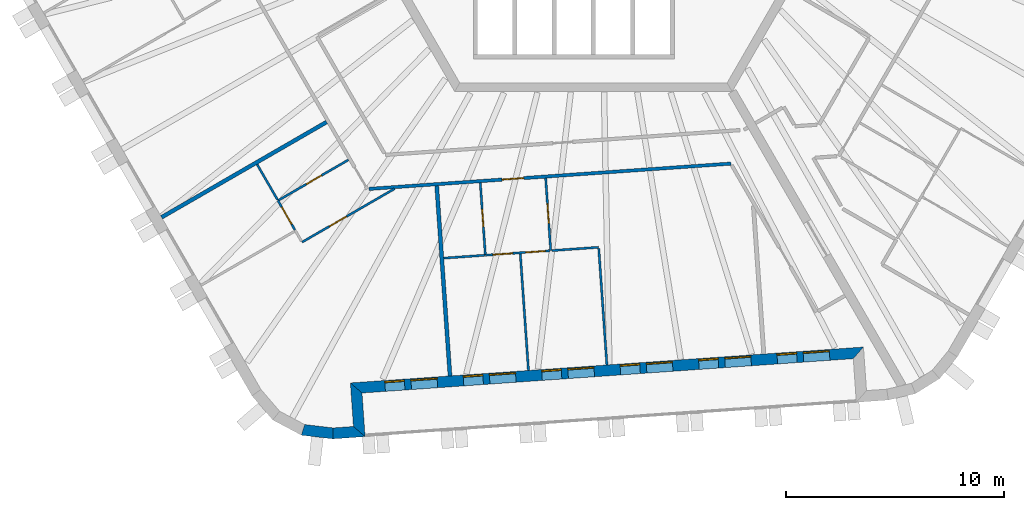
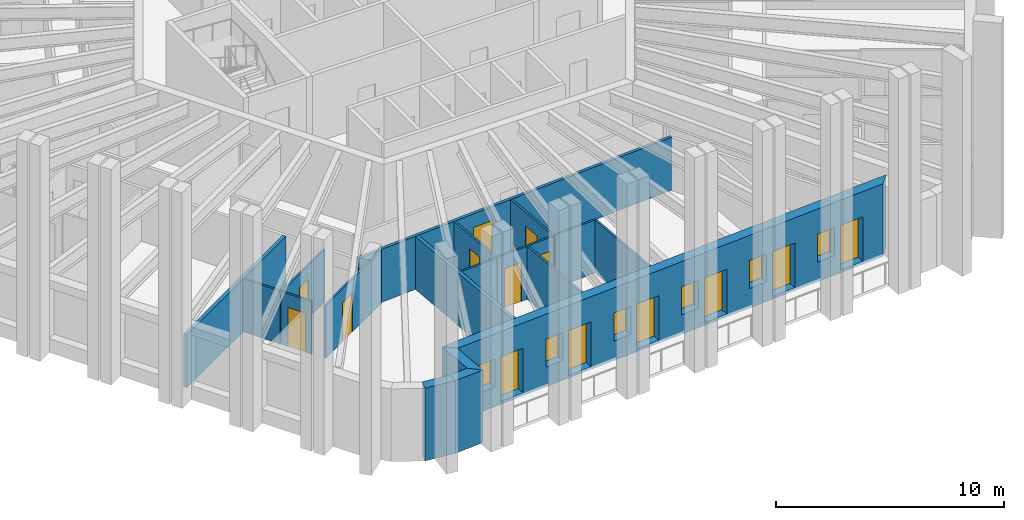
# One storey, part 3 of 13: 18 walls, 14 doors, 6 windows, 20 openings.
"""IFC4 building model written with IfcOpenShell, lengths in metres."""

from ifc_helpers import new_model, si_unit, direction, frame, frame_2d, origin, place, context, subcontext, project, spatial, polyline, rectangle, outline, extrude, material, layer, layer_set, type_object, element, fill, save


model = new_model("IFC4")

# Units and contexts
model_context = context("Model", 3, precision=1e-05, world=origin(), true_north=direction((0.0, 1.0)))
body_context = subcontext(model_context, "Body", "Model", "MODEL_VIEW")
ifc_project = project(units=[si_unit("LENGTHUNIT", "METRE"), si_unit("AREAUNIT", "SQUARE_METRE"), si_unit("VOLUMEUNIT", "CUBIC_METRE"), si_unit("PLANEANGLEUNIT", "RADIAN"), si_unit("MASSUNIT", "GRAM", prefix="KILO")], contexts=[model_context])

# Site, building, storey
site_placement = place(None, origin())
site = spatial("IfcSite", under=ifc_project, at=site_placement, CompositionType="ELEMENT")
building_placement = place(site_placement, origin())
building = spatial("IfcBuilding", under=site, at=building_placement, Name="Tarnside Tower", CompositionType="ELEMENT")
storey_placement = place(building_placement, frame((0.0, 0.0, 326.39990234375)))
storey = spatial("IfcBuildingStorey", under=building, at=storey_placement, Name="L79", CompositionType="ELEMENT", Elevation=326.39990234375)

# Wall, opening, door
ifc_material_1 = material(Name="Gypsum board partition on steel studs", Category="steel")
ifc_layer_1 = layer(ifc_material_1, 0.10009765625)
ifc_layer_set_1 = layer_set([ifc_layer_1], Name="Bathroom wall 100")
wall_type_1 = type_object("IfcWallType", Name="Bathroom wall 100", PredefinedType="PARTITIONING", material=ifc_layer_set_1)
wall_1_placement = place(storey_placement, frame((-11.215087890625, -14.124755859375, 0.0), z_axis=(0.0, 0.0, 1.0), x_axis=(-0.866028424924, -0.499994767197, 0.0)))
wall_1 = element("IfcWall", 1, at=wall_1_placement, inside=storey, type_object=wall_type_1, Name="Bathroom wall 26125", PredefinedType="PARTITIONING", context=body_context, shape_type="SweptSolid", body=[
    extrude(rectangle(XDim=3.72509765625, YDim=0.10009765625, at=frame_2d((1.862548828125, 0.0))), origin(), (0.0, 0.0, 1.0), 2.837890625),
])
opening_1_placement = place(wall_1_placement, frame((1.425048828125, 0.0, 0.0)))
opening_1 = element("IfcOpeningElement", 2, at=opening_1_placement, cuts=wall_1, Name="Opening D-B1", PredefinedType="OPENING", context=body_context, shape_type="SweptSolid", body=[
    extrude(rectangle(XDim=0.800048828125, YDim=2.10009765625, at=frame_2d((0.39990234375, 1.050048828125))), frame((0.0, 0.06005859375, 0.0), z_axis=(0.0, -1.0, 0.0), x_axis=(1.0, 0.0, 0.0)), (0.0, 0.0, 1.0), 0.1201171875),
])
ifc_material_2 = material(Name="Timber door leaf", Category="wood")
door_type_1 = type_object("IfcDoorType", Name="Bathroom door 800", OperationType="NOTDEFINED", PredefinedType="DOOR", material=ifc_material_2)
door_1_placement = place(opening_1_placement, origin())
door_1 = element("IfcDoor", 3, at=door_1_placement, inside=storey, type_object=door_type_1, Name="Bathroom door 26031", OperationType="SINGLE_SWING_RIGHT", OverallHeight=2.10009765625, OverallWidth=0.800048828125, PredefinedType="DOOR", context=body_context, shape_type="SweptSolid", body=[
    extrude(rectangle(XDim=0.800048828125, YDim=2.10009765625, at=frame_2d((0.39990234375, 1.050048828125))), frame((0.0, 0.02490234375, 0.0), z_axis=(0.0, -1.0, 0.0), x_axis=(1.0, 0.0, 0.0)), (0.0, 0.0, 1.0), 0.050048828125),
])
fill(opening_1, door_1)

# Wall
wall_2_placement = place(storey_placement, frame((-15.396240234375, -14.333251953125, 0.0), z_axis=(0.0, 0.0, 1.0), x_axis=(0.500115926523, -0.865958463229, 0.0)))
element("IfcWall", 4, at=wall_2_placement, inside=storey, type_object=wall_type_1, Name="Bathroom wall 26127", PredefinedType="PARTITIONING", context=body_context, shape_type="SweptSolid", body=[
    extrude(rectangle(XDim=1.86181640625, YDim=0.10009765625, at=frame_2d((0.930908203125, 0.0))), origin(), (0.0, 0.0, 1.0), 2.837890625),
])

# Wall, opening, door
wall_3_placement = place(storey_placement, frame((-5.178955078125, -15.17333984375, 0.0), z_axis=(0.0, 0.0, 1.0), x_axis=(0.069754598287, -0.997564181403, 0.0)))
wall_3 = element("IfcWall", 5, at=wall_3_placement, inside=storey, type_object=wall_type_1, Name="Bathroom wall 26132", PredefinedType="PARTITIONING", context=body_context, shape_type="SweptSolid", body=[
    extrude(rectangle(XDim=3.324951171875, YDim=0.10009765625, at=frame_2d((1.66259765625, 0.0))), origin(), (0.0, 0.0, 1.0), 2.837890625),
])
opening_2_placement = place(wall_3_placement, frame((1.22509765625, 0.0, 0.0)))
opening_2 = element("IfcOpeningElement", 6, at=opening_2_placement, cuts=wall_3, Name="Opening D-B1", PredefinedType="OPENING", context=body_context, shape_type="SweptSolid", body=[
    extrude(rectangle(XDim=0.800048828125, YDim=2.10009765625, at=frame_2d((0.39990234375, 1.050048828125))), frame((0.0, 0.06005859375, 0.0), z_axis=(0.0, -1.0, 0.0), x_axis=(1.0, 0.0, 0.0)), (0.0, 0.0, 1.0), 0.1201171875),
])
door_2_placement = place(opening_2_placement, origin())
door_2 = element("IfcDoor", 7, at=door_2_placement, inside=storey, type_object=door_type_1, Name="Bathroom door 26035", OperationType="SINGLE_SWING_RIGHT", OverallHeight=2.10009765625, OverallWidth=0.800048828125, PredefinedType="DOOR", context=body_context, shape_type="SweptSolid", body=[
    extrude(rectangle(XDim=0.800048828125, YDim=2.10009765625, at=frame_2d((0.39990234375, 1.050048828125))), frame((0.0, 0.02490234375, 0.0), z_axis=(0.0, -1.0, 0.0), x_axis=(1.0, 0.0, 0.0)), (0.0, 0.0, 1.0), 0.050048828125),
])
fill(opening_2, door_2)

# Wall
wall_4_placement = place(storey_placement, frame((-6.852294921875, -18.623291015625, 0.0), z_axis=(0.0, 0.0, 1.0), x_axis=(0.997564079323, 0.069756058123, 0.0)))
element("IfcWall", 8, at=wall_4_placement, inside=storey, type_object=wall_type_1, Name="Bathroom wall 26135", PredefinedType="PARTITIONING", context=body_context, shape_type="SweptSolid", body=[
    extrude(rectangle(XDim=1.862060546875, YDim=0.10009765625, at=frame_2d((0.93115234375, 0.0))), origin(), (0.0, 0.0, 1.0), 2.837890625),
])

# Wall, opening, door
ifc_layer_2 = layer(ifc_material_1, 0.14990234375)
ifc_layer_set_2 = layer_set([ifc_layer_2], Name="Corridor wall 150 EI 60")
wall_type_2 = type_object("IfcWallType", Name="Corridor wall 150 EI 60", PredefinedType="PARTITIONING", material=ifc_layer_set_2)
wall_5_placement = place(storey_placement, frame((-10.2744140625, -15.454345703125, 0.0), z_axis=(0.0, 0.0, 1.0), x_axis=(0.997563645223, 0.069762265797, 0.0)))
wall_5 = element("IfcWall", 9, at=wall_5_placement, inside=storey, type_object=wall_type_2, Name="Corridor wall 26035", PredefinedType="PARTITIONING", context=body_context, shape_type="SweptSolid", body=[
    extrude(rectangle(XDim=16.605712890625, YDim=0.14990234375, at=frame_2d((8.302734375, 0.0))), origin(), (0.0, 0.0, 1.0), 2.837890625),
])
opening_3_placement = place(wall_5_placement, frame((6.1025390625, 0.0, 0.0)))
opening_3 = element("IfcOpeningElement", 10, at=opening_3_placement, cuts=wall_5, Name="Opening D-E1", PredefinedType="OPENING", context=body_context, shape_type="SweptSolid", body=[
    extrude(rectangle(XDim=1.0, YDim=2.10009765625, at=frame_2d((0.5, 1.050048828125))), frame((0.0, 0.0849609375, 0.0), z_axis=(0.0, -1.0, 0.0), x_axis=(1.0, 0.0, 0.0)), (0.0, 0.0, 1.0), 0.169921875),
])
door_type_2 = type_object("IfcDoorType", Name="Unit entrance door 1000 FD30S", OperationType="NOTDEFINED", PredefinedType="DOOR", material=ifc_material_2)
door_3_placement = place(opening_3_placement, origin())
door_3 = element("IfcDoor", 11, at=door_3_placement, inside=storey, type_object=door_type_2, Name="Unit door 26034", OperationType="SINGLE_SWING_RIGHT", OverallHeight=2.10009765625, OverallWidth=1.0, PredefinedType="DOOR", context=body_context, shape_type="SweptSolid", body=[
    extrude(rectangle(XDim=1.0, YDim=2.10009765625, at=frame_2d((0.5, 1.050048828125))), frame((0.0, 0.02490234375, 0.0), z_axis=(0.0, -1.0, 0.0), x_axis=(1.0, 0.0, 0.0)), (0.0, 0.0, 1.0), 0.050048828125),
])
fill(opening_3, door_3)

# Walls
ifc_layer_3 = layer(ifc_material_1, 0.179931640625)
ifc_layer_set_3 = layer_set([ifc_layer_3], Name="Demising wall 180 EI 60")
wall_type_3 = type_object("IfcWallType", Name="Demising wall 180 EI 60", PredefinedType="PARTITIONING", material=ifc_layer_set_3)
for number, where, z_axis, x_axis, name in (
    (12, (-19.771240234375, -16.755126953125, 0.0), (0.0, 0.0, 1.0), (0.866025292695, 0.500000192413, 0.0), "Demising wall 26111"),
    (13, (-6.5654296875, -24.0166015625, 0.0), (0.0, 0.0, 1.0), (-0.06975756604, 0.997563973878, 0.0), "Demising wall 26123"),
):
    element("IfcWall", number, at=place(storey_placement, frame(where, z_axis=z_axis, x_axis=x_axis)), inside=storey, type_object=wall_type_3, Name=name, PredefinedType="PARTITIONING", context=body_context, shape_type="SweptSolid", body=[
        extrude(rectangle(XDim=8.72509765625, YDim=0.179931640625, at=frame_2d((4.362548828125, 0.0))), origin(), (0.0, 0.0, 1.0), 2.837890625),
    ])
ifc_material_3 = material(Name="Dark zinc cladding")
ifc_layer_4 = layer(ifc_material_3, 0.10205078125)
ifc_material_4 = material(Name="Concrete C60/75 precast", Category="concrete")
ifc_layer_5 = layer(ifc_material_4, 0.298095703125)
ifc_material_5 = material(Name="Mineral wool insulation")
ifc_layer_6 = layer(ifc_material_5, 0.10009765625)
ifc_layer_set_4 = layer_set([ifc_layer_4, ifc_layer_5, ifc_layer_6], Name="Loggia wall 500 zinc faced")
wall_type_4 = type_object("IfcWallType", Name="Loggia wall 500 zinc faced", PredefinedType="SOLIDWALL", material=ifc_layer_set_4)
wall_6_placement = place(storey_placement, frame((-11.91748046875, -26.646240234375, -0.14990234375), z_axis=(0.0, 0.0, 1.0), x_axis=(0.997562933087, 0.069772448216, 0.0)))
element("IfcWall", 14, at=wall_6_placement, inside=storey, type_object=wall_type_4, Name="Tube wall L79 F4 stub 16", PredefinedType="SOLIDWALL", context=body_context, shape_type="SweptSolid", body=[
    extrude(outline(polyline([(-0.0234375, -0.25), (1.4501953125, -0.25), (0.9501953125, 0.25), (0.0234375, 0.25), (-0.0234375, -0.25)])), origin(), (0.0, 0.0, 1.0), 3.89990234375),
])
wall_7_placement = place(storey_placement, frame((-10.72021484375, -26.5625, -0.14990234375), z_axis=(0.0, 0.0, 1.0), x_axis=(-0.069824268692, 0.99755930726, 0.0)))
element("IfcWall", 15, at=wall_7_placement, inside=storey, type_object=wall_type_4, Name="Tube wall L79 F4 return 17", PredefinedType="SOLIDWALL", context=body_context, shape_type="SweptSolid", body=[
    extrude(outline(polyline([(-0.25, -0.25), (1.75, -0.25), (2.25, 0.25), (0.25, 0.25), (-0.25, -0.25)])), origin(), (0.0, 0.0, 1.0), 3.89990234375),
])

# Wall, openings, doors, windows
wall_8_placement = place(storey_placement, frame((-10.85986328125, -24.5673828125, -0.14990234375), z_axis=(0.0, 0.0, 1.0), x_axis=(0.997564329317, 0.06975248292, 0.0)))
wall_8 = element("IfcWall", 16, at=wall_8_placement, inside=storey, type_object=wall_type_4, Name="Tube wall L79 F4 back 18", PredefinedType="SOLIDWALL", context=body_context, shape_type="SweptSolid", body=[
    extrude(outline(polyline([(0.25, -0.25), (22.794677734375, -0.25), (23.294677734375, 0.25), (-0.25, 0.25), (0.25, -0.25)])), origin(), (0.0, 0.0, 1.0), 3.89990234375),
])
opening_4_placement = place(wall_8_placement, frame((1.322509765625, 0.0, 1.050048828125)))
opening_4 = element("IfcOpeningElement", 17, at=opening_4_placement, cuts=wall_8, Name="Opening WL500", PredefinedType="OPENING", context=body_context, shape_type="SweptSolid", body=[
    extrude(rectangle(XDim=0.89990234375, YDim=1.5, at=frame_2d((0.449951171875, 0.75))), frame((0.0, 0.260009765625, 0.0), z_axis=(0.0, -1.0, 0.0), x_axis=(1.0, 0.0, 0.0)), (0.0, 0.0, 1.0), 0.52001953125),
])
opening_5_placement = place(wall_8_placement, frame((2.5224609375, 0.0, 0.14990234375)))
opening_5 = element("IfcOpeningElement", 18, at=opening_5_placement, cuts=wall_8, Name="Opening DB500", PredefinedType="OPENING", context=body_context, shape_type="SweptSolid", body=[
    extrude(rectangle(XDim=1.199951171875, YDim=2.39990234375, at=frame_2d((0.60009765625, 1.199951171875))), frame((0.0, 0.260009765625, 0.0), z_axis=(0.0, -1.0, 0.0), x_axis=(1.0, 0.0, 0.0)), (0.0, 0.0, 1.0), 0.52001953125),
])
opening_6_placement = place(wall_8_placement, frame((4.92236328125, 0.0, 1.050048828125)))
opening_6 = element("IfcOpeningElement", 19, at=opening_6_placement, cuts=wall_8, Name="Opening WL500", PredefinedType="OPENING", context=body_context, shape_type="SweptSolid", body=[
    extrude(rectangle(XDim=0.89990234375, YDim=1.5, at=frame_2d((0.449951171875, 0.75))), frame((0.0, 0.260009765625, 0.0), z_axis=(0.0, -1.0, 0.0), x_axis=(1.0, 0.0, 0.0)), (0.0, 0.0, 1.0), 0.52001953125),
])
opening_7_placement = place(wall_8_placement, frame((6.122314453125, 0.0, 0.14990234375)))
opening_7 = element("IfcOpeningElement", 20, at=opening_7_placement, cuts=wall_8, Name="Opening DB500", PredefinedType="OPENING", context=body_context, shape_type="SweptSolid", body=[
    extrude(rectangle(XDim=1.199951171875, YDim=2.39990234375, at=frame_2d((0.60009765625, 1.199951171875))), frame((0.0, 0.260009765625, 0.0), z_axis=(0.0, -1.0, 0.0), x_axis=(1.0, 0.0, 0.0)), (0.0, 0.0, 1.0), 0.52001953125),
])
opening_8_placement = place(wall_8_placement, frame((8.5224609375, 0.0, 1.050048828125)))
opening_8 = element("IfcOpeningElement", 21, at=opening_8_placement, cuts=wall_8, Name="Opening WL500", PredefinedType="OPENING", context=body_context, shape_type="SweptSolid", body=[
    extrude(rectangle(XDim=0.89990234375, YDim=1.5, at=frame_2d((0.449951171875, 0.75))), frame((0.0, 0.260009765625, 0.0), z_axis=(0.0, -1.0, 0.0), x_axis=(1.0, 0.0, 0.0)), (0.0, 0.0, 1.0), 0.52001953125),
])
opening_9_placement = place(wall_8_placement, frame((9.722412109375, 0.0, 0.14990234375)))
opening_9 = element("IfcOpeningElement", 22, at=opening_9_placement, cuts=wall_8, Name="Opening DB500", PredefinedType="OPENING", context=body_context, shape_type="SweptSolid", body=[
    extrude(rectangle(XDim=1.199951171875, YDim=2.39990234375, at=frame_2d((0.60009765625, 1.199951171875))), frame((0.0, 0.260009765625, 0.0), z_axis=(0.0, -1.0, 0.0), x_axis=(1.0, 0.0, 0.0)), (0.0, 0.0, 1.0), 0.52001953125),
])
opening_10_placement = place(wall_8_placement, frame((12.122314453125, 0.0, 1.050048828125)))
opening_10 = element("IfcOpeningElement", 23, at=opening_10_placement, cuts=wall_8, Name="Opening WL500", PredefinedType="OPENING", context=body_context, shape_type="SweptSolid", body=[
    extrude(rectangle(XDim=0.89990234375, YDim=1.5, at=frame_2d((0.449951171875, 0.75))), frame((0.0, 0.260009765625, 0.0), z_axis=(0.0, -1.0, 0.0), x_axis=(1.0, 0.0, 0.0)), (0.0, 0.0, 1.0), 0.52001953125),
])
opening_11_placement = place(wall_8_placement, frame((13.322509765625, 0.0, 0.14990234375)))
opening_11 = element("IfcOpeningElement", 24, at=opening_11_placement, cuts=wall_8, Name="Opening DB500", PredefinedType="OPENING", context=body_context, shape_type="SweptSolid", body=[
    extrude(rectangle(XDim=1.199951171875, YDim=2.39990234375, at=frame_2d((0.60009765625, 1.199951171875))), frame((0.0, 0.260009765625, 0.0), z_axis=(0.0, -1.0, 0.0), x_axis=(1.0, 0.0, 0.0)), (0.0, 0.0, 1.0), 0.52001953125),
])
opening_12_placement = place(wall_8_placement, frame((15.722412109375, 0.0, 1.050048828125)))
opening_12 = element("IfcOpeningElement", 25, at=opening_12_placement, cuts=wall_8, Name="Opening WL500", PredefinedType="OPENING", context=body_context, shape_type="SweptSolid", body=[
    extrude(rectangle(XDim=0.89990234375, YDim=1.5, at=frame_2d((0.449951171875, 0.75))), frame((0.0, 0.260009765625, 0.0), z_axis=(0.0, -1.0, 0.0), x_axis=(1.0, 0.0, 0.0)), (0.0, 0.0, 1.0), 0.52001953125),
])
opening_13_placement = place(wall_8_placement, frame((16.92236328125, 0.0, 0.14990234375)))
opening_13 = element("IfcOpeningElement", 26, at=opening_13_placement, cuts=wall_8, Name="Opening DB500", PredefinedType="OPENING", context=body_context, shape_type="SweptSolid", body=[
    extrude(rectangle(XDim=1.199951171875, YDim=2.39990234375, at=frame_2d((0.60009765625, 1.199951171875))), frame((0.0, 0.260009765625, 0.0), z_axis=(0.0, -1.0, 0.0), x_axis=(1.0, 0.0, 0.0)), (0.0, 0.0, 1.0), 0.52001953125),
])
opening_14_placement = place(wall_8_placement, frame((19.322509765625, 0.0, 1.050048828125)))
opening_14 = element("IfcOpeningElement", 27, at=opening_14_placement, cuts=wall_8, Name="Opening WL500", PredefinedType="OPENING", context=body_context, shape_type="SweptSolid", body=[
    extrude(rectangle(XDim=0.89990234375, YDim=1.5, at=frame_2d((0.449951171875, 0.75))), frame((0.0, 0.260009765625, 0.0), z_axis=(0.0, -1.0, 0.0), x_axis=(1.0, 0.0, 0.0)), (0.0, 0.0, 1.0), 0.52001953125),
])
opening_15_placement = place(wall_8_placement, frame((20.5224609375, 0.0, 0.14990234375)))
opening_15 = element("IfcOpeningElement", 28, at=opening_15_placement, cuts=wall_8, Name="Opening DB500", PredefinedType="OPENING", context=body_context, shape_type="SweptSolid", body=[
    extrude(rectangle(XDim=1.199951171875, YDim=2.39990234375, at=frame_2d((0.60009765625, 1.199951171875))), frame((0.0, 0.260009765625, 0.0), z_axis=(0.0, -1.0, 0.0), x_axis=(1.0, 0.0, 0.0)), (0.0, 0.0, 1.0), 0.52001953125),
])
ifc_material_6 = material(Name="Aluminium-framed double glazing", Category="aluminium")
door_type_3 = type_object("IfcDoorType", Name="Balcony sliding door 1200 x 2400 in 500 wall", OperationType="SLIDING_TO_LEFT", PredefinedType="DOOR", material=ifc_material_6)
door_4_placement = place(opening_5_placement, frame((0.0, 0.1748046875, 0.0)))
door_4 = element("IfcDoor", 29, at=door_4_placement, inside=storey, type_object=door_type_3, Name="E.BD.L79.F4.00", OperationType="SLIDING_TO_LEFT", OverallHeight=2.39990234375, OverallWidth=1.199951171875, PredefinedType="DOOR", context=body_context, shape_type="SweptSolid", body=[
    extrude(rectangle(XDim=1.199951171875, YDim=2.39990234375, at=frame_2d((0.60009765625, 1.199951171875))), frame((0.0, 0.02490234375, 0.0), z_axis=(0.0, -1.0, 0.0), x_axis=(1.0, 0.0, 0.0)), (0.0, 0.0, 1.0), 0.050048828125),
])
fill(opening_5, door_4)
door_5_placement = place(opening_7_placement, frame((0.0, 0.1748046875, 0.0)))
door_5 = element("IfcDoor", 30, at=door_5_placement, inside=storey, type_object=door_type_3, Name="E.BD.L79.F4.01", OperationType="SLIDING_TO_LEFT", OverallHeight=2.39990234375, OverallWidth=1.199951171875, PredefinedType="DOOR", context=body_context, shape_type="SweptSolid", body=[
    extrude(rectangle(XDim=1.199951171875, YDim=2.39990234375, at=frame_2d((0.60009765625, 1.199951171875))), frame((0.0, 0.02490234375, 0.0), z_axis=(0.0, -1.0, 0.0), x_axis=(1.0, 0.0, 0.0)), (0.0, 0.0, 1.0), 0.050048828125),
])
fill(opening_7, door_5)
door_6_placement = place(opening_9_placement, frame((0.0, 0.1748046875, 0.0)))
door_6 = element("IfcDoor", 31, at=door_6_placement, inside=storey, type_object=door_type_3, Name="E.BD.L79.F4.02", OperationType="SLIDING_TO_LEFT", OverallHeight=2.39990234375, OverallWidth=1.199951171875, PredefinedType="DOOR", context=body_context, shape_type="SweptSolid", body=[
    extrude(rectangle(XDim=1.199951171875, YDim=2.39990234375, at=frame_2d((0.60009765625, 1.199951171875))), frame((0.0, 0.02490234375, 0.0), z_axis=(0.0, -1.0, 0.0), x_axis=(1.0, 0.0, 0.0)), (0.0, 0.0, 1.0), 0.050048828125),
])
fill(opening_9, door_6)
door_7_placement = place(opening_11_placement, frame((0.0, 0.1748046875, 0.0)))
door_7 = element("IfcDoor", 32, at=door_7_placement, inside=storey, type_object=door_type_3, Name="E.BD.L79.F4.03", OperationType="SLIDING_TO_LEFT", OverallHeight=2.39990234375, OverallWidth=1.199951171875, PredefinedType="DOOR", context=body_context, shape_type="SweptSolid", body=[
    extrude(rectangle(XDim=1.199951171875, YDim=2.39990234375, at=frame_2d((0.60009765625, 1.199951171875))), frame((0.0, 0.02490234375, 0.0), z_axis=(0.0, -1.0, 0.0), x_axis=(1.0, 0.0, 0.0)), (0.0, 0.0, 1.0), 0.050048828125),
])
fill(opening_11, door_7)
door_8_placement = place(opening_13_placement, frame((0.0, 0.1748046875, 0.0)))
door_8 = element("IfcDoor", 33, at=door_8_placement, inside=storey, type_object=door_type_3, Name="E.BD.L79.F4.04", OperationType="SLIDING_TO_LEFT", OverallHeight=2.39990234375, OverallWidth=1.199951171875, PredefinedType="DOOR", context=body_context, shape_type="SweptSolid", body=[
    extrude(rectangle(XDim=1.199951171875, YDim=2.39990234375, at=frame_2d((0.60009765625, 1.199951171875))), frame((0.0, 0.02490234375, 0.0), z_axis=(0.0, -1.0, 0.0), x_axis=(1.0, 0.0, 0.0)), (0.0, 0.0, 1.0), 0.050048828125),
])
fill(opening_13, door_8)
door_9_placement = place(opening_15_placement, frame((0.0, 0.1748046875, 0.0)))
door_9 = element("IfcDoor", 34, at=door_9_placement, inside=storey, type_object=door_type_3, Name="E.BD.L79.F4.05", OperationType="SLIDING_TO_LEFT", OverallHeight=2.39990234375, OverallWidth=1.199951171875, PredefinedType="DOOR", context=body_context, shape_type="SweptSolid", body=[
    extrude(rectangle(XDim=1.199951171875, YDim=2.39990234375, at=frame_2d((0.60009765625, 1.199951171875))), frame((0.0, 0.02490234375, 0.0), z_axis=(0.0, -1.0, 0.0), x_axis=(1.0, 0.0, 0.0)), (0.0, 0.0, 1.0), 0.050048828125),
])
fill(opening_15, door_9)
window_type = type_object("IfcWindowType", Name="Loggia window 900 x 1500 in 500 wall", PartitioningType="SINGLE_PANEL", PredefinedType="WINDOW", material=ifc_material_6)
window_1_placement = place(opening_4_placement, frame((0.0, 0.179931640625, 0.0)))
window_1 = element("IfcWindow", 35, at=window_1_placement, inside=storey, type_object=window_type, Name="E.LW.L79.F4.00", OverallHeight=1.5, OverallWidth=0.89990234375, PartitioningType="SINGLE_PANEL", PredefinedType="WINDOW", context=body_context, shape_type="SweptSolid", body=[
    extrude(rectangle(XDim=0.89990234375, YDim=1.5, at=frame_2d((0.449951171875, 0.75))), frame((0.0, 0.030029296875, 0.0), z_axis=(0.0, -1.0, 0.0), x_axis=(1.0, 0.0, 0.0)), (0.0, 0.0, 1.0), 0.06005859375),
])
fill(opening_4, window_1)
window_2_placement = place(opening_6_placement, frame((0.0, 0.179931640625, 0.0)))
window_2 = element("IfcWindow", 36, at=window_2_placement, inside=storey, type_object=window_type, Name="E.LW.L79.F4.01", OverallHeight=1.5, OverallWidth=0.89990234375, PartitioningType="SINGLE_PANEL", PredefinedType="WINDOW", context=body_context, shape_type="SweptSolid", body=[
    extrude(rectangle(XDim=0.89990234375, YDim=1.5, at=frame_2d((0.449951171875, 0.75))), frame((0.0, 0.030029296875, 0.0), z_axis=(0.0, -1.0, 0.0), x_axis=(1.0, 0.0, 0.0)), (0.0, 0.0, 1.0), 0.06005859375),
])
fill(opening_6, window_2)
window_3_placement = place(opening_8_placement, frame((0.0, 0.179931640625, 0.0)))
window_3 = element("IfcWindow", 37, at=window_3_placement, inside=storey, type_object=window_type, Name="E.LW.L79.F4.02", OverallHeight=1.5, OverallWidth=0.89990234375, PartitioningType="SINGLE_PANEL", PredefinedType="WINDOW", context=body_context, shape_type="SweptSolid", body=[
    extrude(rectangle(XDim=0.89990234375, YDim=1.5, at=frame_2d((0.449951171875, 0.75))), frame((0.0, 0.030029296875, 0.0), z_axis=(0.0, -1.0, 0.0), x_axis=(1.0, 0.0, 0.0)), (0.0, 0.0, 1.0), 0.06005859375),
])
fill(opening_8, window_3)
window_4_placement = place(opening_10_placement, frame((0.0, 0.179931640625, 0.0)))
window_4 = element("IfcWindow", 38, at=window_4_placement, inside=storey, type_object=window_type, Name="E.LW.L79.F4.03", OverallHeight=1.5, OverallWidth=0.89990234375, PartitioningType="SINGLE_PANEL", PredefinedType="WINDOW", context=body_context, shape_type="SweptSolid", body=[
    extrude(rectangle(XDim=0.89990234375, YDim=1.5, at=frame_2d((0.449951171875, 0.75))), frame((0.0, 0.030029296875, 0.0), z_axis=(0.0, -1.0, 0.0), x_axis=(1.0, 0.0, 0.0)), (0.0, 0.0, 1.0), 0.06005859375),
])
fill(opening_10, window_4)
window_5_placement = place(opening_12_placement, frame((0.0, 0.179931640625, 0.0)))
window_5 = element("IfcWindow", 39, at=window_5_placement, inside=storey, type_object=window_type, Name="E.LW.L79.F4.04", OverallHeight=1.5, OverallWidth=0.89990234375, PartitioningType="SINGLE_PANEL", PredefinedType="WINDOW", context=body_context, shape_type="SweptSolid", body=[
    extrude(rectangle(XDim=0.89990234375, YDim=1.5, at=frame_2d((0.449951171875, 0.75))), frame((0.0, 0.030029296875, 0.0), z_axis=(0.0, -1.0, 0.0), x_axis=(1.0, 0.0, 0.0)), (0.0, 0.0, 1.0), 0.06005859375),
])
fill(opening_12, window_5)
window_6_placement = place(opening_14_placement, frame((0.0, 0.179931640625, 0.0)))
window_6 = element("IfcWindow", 40, at=window_6_placement, inside=storey, type_object=window_type, Name="E.LW.L79.F4.05", OverallHeight=1.5, OverallWidth=0.89990234375, PartitioningType="SINGLE_PANEL", PredefinedType="WINDOW", context=body_context, shape_type="SweptSolid", body=[
    extrude(rectangle(XDim=0.89990234375, YDim=1.5, at=frame_2d((0.449951171875, 0.75))), frame((0.0, 0.030029296875, 0.0), z_axis=(0.0, -1.0, 0.0), x_axis=(1.0, 0.0, 0.0)), (0.0, 0.0, 1.0), 0.06005859375),
])
fill(opening_14, window_6)

# Wall, opening, door
ifc_layer_7 = layer(ifc_material_1, 0.10009765625)
ifc_layer_set_5 = layer_set([ifc_layer_7], Name="Partition 100")
wall_type_5 = type_object("IfcWallType", Name="Partition 100", PredefinedType="PARTITIONING", material=ifc_layer_set_5)
wall_9_placement = place(storey_placement, frame((-9.10693359375, -15.447998046875, 0.0), z_axis=(0.0, 0.0, 1.0), x_axis=(-0.866025094983, -0.500000534859, 0.0)))
wall_9 = element("IfcWall", 41, at=wall_9_placement, inside=storey, type_object=wall_type_5, Name="Partition wall 26120", PredefinedType="PARTITIONING", context=body_context, shape_type="SweptSolid", body=[
    extrude(rectangle(XDim=4.88916015625, YDim=0.10009765625, at=frame_2d((2.444580078125, 0.0))), origin(), (0.0, 0.0, 1.0), 2.837890625),
])
opening_16_placement = place(wall_9_placement, frame((2.539306640625, 0.0, 0.0)))
opening_16 = element("IfcOpeningElement", 42, at=opening_16_placement, cuts=wall_9, Name="Opening D-I1", PredefinedType="OPENING", context=body_context, shape_type="SweptSolid", body=[
    extrude(rectangle(XDim=0.89990234375, YDim=2.10009765625, at=frame_2d((0.449951171875, 1.050048828125))), frame((0.0, 0.06005859375, 0.0), z_axis=(0.0, -1.0, 0.0), x_axis=(1.0, 0.0, 0.0)), (0.0, 0.0, 1.0), 0.1201171875),
])
door_type_4 = type_object("IfcDoorType", Name="Internal door 900", OperationType="NOTDEFINED", PredefinedType="DOOR", material=ifc_material_2)
door_10_placement = place(opening_16_placement, origin())
door_10 = element("IfcDoor", 43, at=door_10_placement, inside=storey, type_object=door_type_4, Name="Internal door 26032", OperationType="SINGLE_SWING_LEFT", OverallHeight=2.10009765625, OverallWidth=0.89990234375, PredefinedType="DOOR", context=body_context, shape_type="SweptSolid", body=[
    extrude(rectangle(XDim=0.89990234375, YDim=2.10009765625, at=frame_2d((0.449951171875, 1.050048828125))), frame((0.0, 0.02490234375, 0.0), z_axis=(0.0, -1.0, 0.0), x_axis=(1.0, 0.0, 0.0)), (0.0, 0.0, 1.0), 0.050048828125),
])
fill(opening_16, door_10)

wall_10_placement = place(storey_placement, frame((-14.442138671875, -15.985595703125, 0.0), z_axis=(0.0, 0.0, 1.0), x_axis=(0.50008102322, -0.865978619952, 0.0)))
wall_10 = element("IfcWall", 44, at=wall_10_placement, inside=storey, type_object=wall_type_5, Name="Partition wall 26126", PredefinedType="PARTITIONING", context=body_context, shape_type="SweptSolid", body=[
    extrude(rectangle(XDim=1.552001953125, YDim=0.10009765625, at=frame_2d((0.77587890625, 0.0))), origin(), (0.0, 0.0, 1.0), 2.837890625),
])
opening_17_placement = place(wall_10_placement, frame((0.35205078125, 0.0, 0.0)))
opening_17 = element("IfcOpeningElement", 45, at=opening_17_placement, cuts=wall_10, Name="Opening D-I1", PredefinedType="OPENING", context=body_context, shape_type="SweptSolid", body=[
    extrude(rectangle(XDim=0.89990234375, YDim=2.10009765625, at=frame_2d((0.449951171875, 1.050048828125))), frame((0.0, 0.06005859375, 0.0), z_axis=(0.0, -1.0, 0.0), x_axis=(1.0, 0.0, 0.0)), (0.0, 0.0, 1.0), 0.1201171875),
])
door_11_placement = place(opening_17_placement, origin())
door_11 = element("IfcDoor", 46, at=door_11_placement, inside=storey, type_object=door_type_4, Name="Internal door 26033", OperationType="SINGLE_SWING_LEFT", OverallHeight=2.10009765625, OverallWidth=0.89990234375, PredefinedType="DOOR", context=body_context, shape_type="SweptSolid", body=[
    extrude(rectangle(XDim=0.89990234375, YDim=2.10009765625, at=frame_2d((0.449951171875, 1.050048828125))), frame((0.0, 0.02490234375, 0.0), z_axis=(0.0, -1.0, 0.0), x_axis=(1.0, 0.0, 0.0)), (0.0, 0.0, 1.0), 0.050048828125),
])
fill(opening_17, door_11)

wall_11_placement = place(storey_placement, frame((-2.186279296875, -14.9638671875, 0.0), z_axis=(0.0, 0.0, 1.0), x_axis=(0.069754598287, -0.997564181403, 0.0)))
wall_11 = element("IfcWall", 47, at=wall_11_placement, inside=storey, type_object=wall_type_5, Name="Partition wall 26128", PredefinedType="PARTITIONING", context=body_context, shape_type="SweptSolid", body=[
    extrude(rectangle(XDim=3.324951171875, YDim=0.10009765625, at=frame_2d((1.66259765625, 0.0))), origin(), (0.0, 0.0, 1.0), 2.837890625),
])
opening_18_placement = place(wall_11_placement, frame((1.175048828125, 0.0, 0.0)))
opening_18 = element("IfcOpeningElement", 48, at=opening_18_placement, cuts=wall_11, Name="Opening D-I1", PredefinedType="OPENING", context=body_context, shape_type="SweptSolid", body=[
    extrude(rectangle(XDim=0.89990234375, YDim=2.10009765625, at=frame_2d((0.449951171875, 1.050048828125))), frame((0.0, 0.06005859375, 0.0), z_axis=(0.0, -1.0, 0.0), x_axis=(1.0, 0.0, 0.0)), (0.0, 0.0, 1.0), 0.1201171875),
])
door_12_placement = place(opening_18_placement, origin())
door_12 = element("IfcDoor", 49, at=door_12_placement, inside=storey, type_object=door_type_4, Name="Internal door 26036", OperationType="SINGLE_SWING_RIGHT", OverallHeight=2.10009765625, OverallWidth=0.89990234375, PredefinedType="DOOR", context=body_context, shape_type="SweptSolid", body=[
    extrude(rectangle(XDim=0.89990234375, YDim=2.10009765625, at=frame_2d((0.449951171875, 1.050048828125))), frame((0.0, 0.02490234375, 0.0), z_axis=(0.0, -1.0, 0.0), x_axis=(1.0, 0.0, 0.0)), (0.0, 0.0, 1.0), 0.050048828125),
])
fill(opening_18, door_12)

# Walls
wall_12_placement = place(storey_placement, frame((-1.906494140625, -18.277587890625, 0.0), z_axis=(0.0, 0.0, 1.0), x_axis=(0.997563548072, 0.069763654999, 0.0)))
element("IfcWall", 50, at=wall_12_placement, inside=storey, type_object=wall_type_5, Name="Partition wall 26129", PredefinedType="PARTITIONING", context=body_context, shape_type="SweptSolid", body=[
    extrude(rectangle(XDim=2.152099609375, YDim=0.10009765625, at=frame_2d((1.076171875, 0.0))), origin(), (0.0, 0.0, 1.0), 2.837890625),
])
wall_13_placement = place(storey_placement, frame((0.243896484375, -18.17724609375, 0.0), z_axis=(0.0, 0.0, 1.0), x_axis=(0.069729221413, -0.997565955554, 0.0)))
element("IfcWall", 51, at=wall_13_placement, inside=storey, type_object=wall_type_5, Name="Partition wall 26130", PredefinedType="PARTITIONING", context=body_context, shape_type="SweptSolid", body=[
    extrude(rectangle(XDim=5.349853515625, YDim=0.10009765625, at=frame_2d((2.6748046875, 0.0))), origin(), (0.0, 0.0, 1.0), 2.837890625),
])

# Wall, openings, doors
wall_14_placement = place(storey_placement, frame((-4.948974609375, -18.490234375, 0.0), z_axis=(0.0, 0.0, 1.0), x_axis=(0.997564145845, 0.069755106801, 0.0)))
wall_14 = element("IfcWall", 52, at=wall_14_placement, inside=storey, type_object=wall_type_5, Name="Partition wall 26133", PredefinedType="PARTITIONING", context=body_context, shape_type="SweptSolid", body=[
    extrude(rectangle(XDim=2.953857421875, YDim=0.10009765625, at=frame_2d((1.47705078125, 0.0))), origin(), (0.0, 0.0, 1.0), 2.837890625),
])
opening_19_placement = place(wall_14_placement, frame((0.35205078125, 0.0, 0.0)))
opening_19 = element("IfcOpeningElement", 53, at=opening_19_placement, cuts=wall_14, Name="Opening D-I1", PredefinedType="OPENING", context=body_context, shape_type="SweptSolid", body=[
    extrude(rectangle(XDim=0.89990234375, YDim=2.10009765625, at=frame_2d((0.449951171875, 1.050048828125))), frame((0.0, 0.06005859375, 0.0), z_axis=(0.0, -1.0, 0.0), x_axis=(1.0, 0.0, 0.0)), (0.0, 0.0, 1.0), 0.1201171875),
])
opening_20_placement = place(wall_14_placement, frame((1.85205078125, 0.0, 0.0)))
opening_20 = element("IfcOpeningElement", 54, at=opening_20_placement, cuts=wall_14, Name="Opening D-I1", PredefinedType="OPENING", context=body_context, shape_type="SweptSolid", body=[
    extrude(rectangle(XDim=0.89990234375, YDim=2.10009765625, at=frame_2d((0.449951171875, 1.050048828125))), frame((0.0, 0.06005859375, 0.0), z_axis=(0.0, -1.0, 0.0), x_axis=(1.0, 0.0, 0.0)), (0.0, 0.0, 1.0), 0.1201171875),
])
door_13_placement = place(opening_19_placement, origin())
door_13 = element("IfcDoor", 55, at=door_13_placement, inside=storey, type_object=door_type_4, Name="Internal door 26037", OperationType="SINGLE_SWING_RIGHT", OverallHeight=2.10009765625, OverallWidth=0.89990234375, PredefinedType="DOOR", context=body_context, shape_type="SweptSolid", body=[
    extrude(rectangle(XDim=0.89990234375, YDim=2.10009765625, at=frame_2d((0.449951171875, 1.050048828125))), frame((0.0, 0.02490234375, 0.0), z_axis=(0.0, -1.0, 0.0), x_axis=(1.0, 0.0, 0.0)), (0.0, 0.0, 1.0), 0.050048828125),
])
fill(opening_19, door_13)
door_14_placement = place(opening_20_placement, origin())
door_14 = element("IfcDoor", 56, at=door_14_placement, inside=storey, type_object=door_type_4, Name="Internal door 26038", OperationType="SINGLE_SWING_LEFT", OverallHeight=2.10009765625, OverallWidth=0.89990234375, PredefinedType="DOOR", context=body_context, shape_type="SweptSolid", body=[
    extrude(rectangle(XDim=0.89990234375, YDim=2.10009765625, at=frame_2d((0.449951171875, 1.050048828125))), frame((0.0, 0.02490234375, 0.0), z_axis=(0.0, -1.0, 0.0), x_axis=(1.0, 0.0, 0.0)), (0.0, 0.0, 1.0), 0.050048828125),
])
fill(opening_20, door_14)

# Walls
wall_15_placement = place(storey_placement, frame((-2.97412109375, -23.765380859375, 0.0), z_axis=(0.0, 0.0, 1.0), x_axis=(-0.069774633622, 0.997562780231, 0.0)))
element("IfcWall", 57, at=wall_15_placement, inside=storey, type_object=wall_type_5, Name="Partition wall 26136", PredefinedType="PARTITIONING", context=body_context, shape_type="SweptSolid", body=[
    extrude(rectangle(XDim=5.349853515625, YDim=0.10009765625, at=frame_2d((2.6748046875, 0.0))), origin(), (0.0, 0.0, 1.0), 2.837890625),
])
ifc_material_7 = material(Name="Facing brick", Category="masonry")
ifc_layer_8 = layer(ifc_material_7, 0.10205078125)
ifc_layer_9 = layer(ifc_material_4, 0.298095703125)
ifc_layer_10 = layer(ifc_material_5, 0.10009765625)
ifc_layer_set_6 = layer_set([ifc_layer_8, ifc_layer_9, ifc_layer_10], Name="Tube wall 500 brick faced")
wall_type_6 = type_object("IfcWallType", Name="Tube wall 500 brick faced", PredefinedType="SOLIDWALL", material=ifc_layer_set_6)
wall_16_placement = place(storey_placement, frame((-13.296142578125, -26.485107421875, -0.14990234375), z_axis=(0.0, 0.0, 1.0), x_axis=(0.993239161627, -0.116086036245, 0.0)))
element("IfcWall", 58, at=wall_16_placement, inside=storey, type_object=wall_type_6, Name="Tube wall L79 F3 chord 15", PredefinedType="SOLIDWALL", context=body_context, shape_type="SweptSolid", body=[
    extrude(outline(polyline([(-0.047119140625, -0.25), (1.411376953125, -0.25), (1.364501953125, 0.25), (0.047119140625, 0.25), (-0.047119140625, -0.25)])), origin(), (0.0, 0.0, 1.0), 3.89990234375),
])

save(model, "model.ifc")
